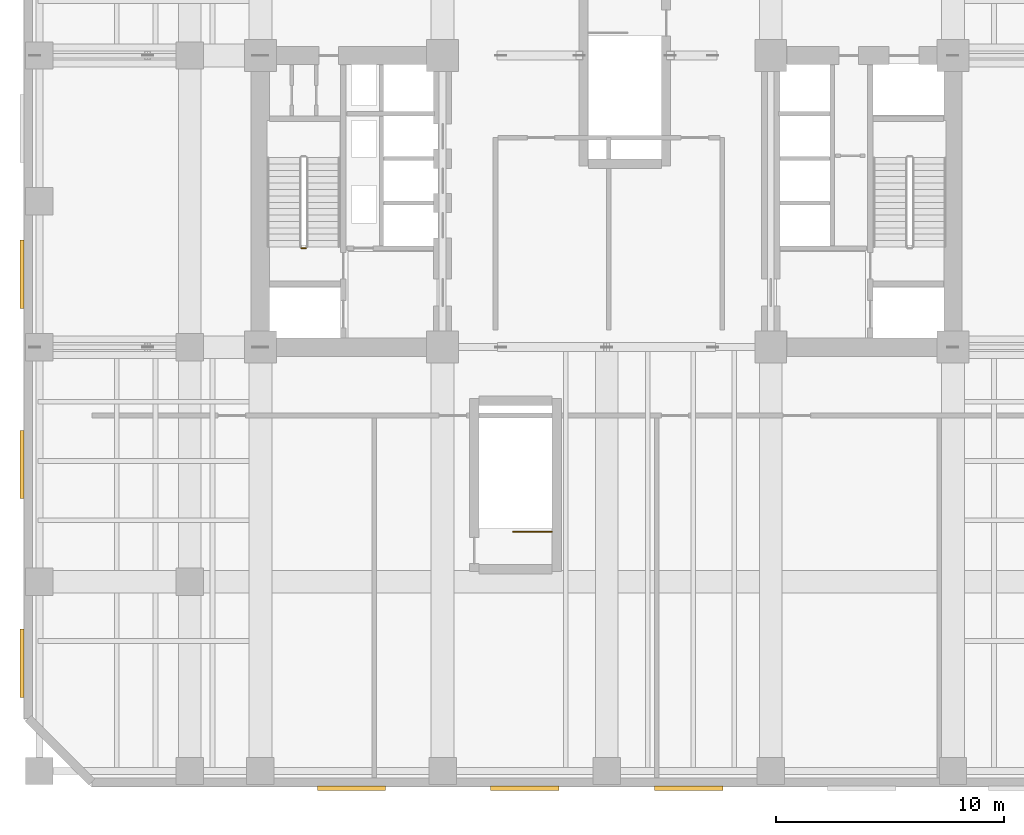
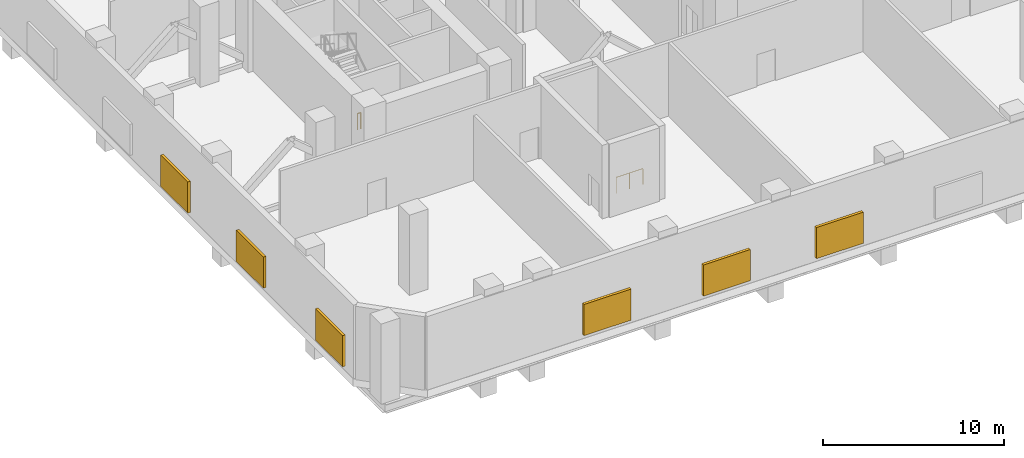
# One storey, part 10 of 13: 6 shading devices, 2 railings.
"""IFC4 building model written with IfcOpenShell, lengths in metres."""

import ifcopenshell
import ifcopenshell.guid

model = None  # the IFC model being written
_history = None  # IfcOwnerHistory: only IFC2X3 demands one
_inside = {}  # id of a spatial element -> (the spatial element, [elements in it])
_under = {}  # id of a project, library or spatial element -> (it, [spatial elements below it])
_declared = {}  # id of a project -> (the project, [libraries it declares])
_typed = {}  # id of a type object -> (the type object, [elements of that type])
_made_of = {}  # id of a material, layer set ... -> (it, [elements and type objects made of it])


def new_model(schema):
    """Start an empty IFC model of exactly this schema.

    Asked for "IFC4X3", IfcOpenShell would pick the latest addendum, in which some entities
    have other attributes; the version numbers below select the first issue.
    IFC2X3 requires an IfcOwnerHistory on every rooted entity: one is made here for all.
    """
    global model, _history
    if schema == "IFC4X3":
        model = ifcopenshell.file(schema_version=(4, 3, 0, 0))
    else:
        model = ifcopenshell.file(schema=schema)
    _inside.clear()
    _under.clear()
    _declared.clear()
    _typed.clear()
    _made_of.clear()
    _history = None
    if model.schema == "IFC2X3":
        org = make("IfcOrganization", Name="unknown")
        user = make(
            "IfcPersonAndOrganization",
            ThePerson=make("IfcPerson", FamilyName="unknown"),
            TheOrganization=org,
        )
        app = make(
            "IfcApplication",
            ApplicationDeveloper=org,
            Version="unknown",
            ApplicationFullName="unknown",
            ApplicationIdentifier="unknown",
        )
        _history = make(
            "IfcOwnerHistory",
            OwningUser=user,
            OwningApplication=app,
            ChangeAction="ADDED",
            CreationDate=0,
        )
    return model


def make(cls, **values):
    """One entity of the class cls with the attributes given. An attribute that is None is left unset."""
    return model.create_entity(
        cls, **{name: value for name, value in values.items() if value is not None}
    )


def rooted(cls, **values):
    """An entity with a GlobalId (a new one), such as an element, a storey or a relation."""
    return make(cls, GlobalId=ifcopenshell.guid.new(), OwnerHistory=_history, **values)


def si_unit(unit_type, name, prefix=None):
    """IfcSIUnit, for example si_unit("LENGTHUNIT", "METRE", prefix="MILLI")."""
    return make("IfcSIUnit", UnitType=unit_type, Prefix=prefix, Name=name)


def assignment(units):
    """IfcUnitAssignment: the units of a project."""
    return None if units is None else make("IfcUnitAssignment", Units=units)


def point(xyz):
    """IfcCartesianPoint."""
    return None if xyz is None else make("IfcCartesianPoint", Coordinates=xyz)


def direction(xyz):
    """IfcDirection."""
    return None if xyz is None else make("IfcDirection", DirectionRatios=xyz)


def frame(location, z_axis=None, x_axis=None):
    """IfcAxis2Placement3D, a coordinate frame: its origin and axes. An axis left out is left unset."""
    return make(
        "IfcAxis2Placement3D",
        Location=point(location),
        Axis=direction(z_axis),
        RefDirection=direction(x_axis),
    )


def frame_2d(location, x_axis=None):
    """IfcAxis2Placement2D, a coordinate frame in the plane: its origin and x axis."""
    return make(
        "IfcAxis2Placement2D", Location=point(location), RefDirection=direction(x_axis)
    )


def origin():
    """The frame at (0, 0, 0) with its axes left unset."""
    return frame((0.0, 0.0, 0.0))


def origin_2d():
    """The frame at (0, 0) in the plane with its x axis left unset."""
    return frame_2d((0.0, 0.0))


def place(relative_to, where):
    """IfcLocalPlacement: puts the frame where relative to a parent placement (None: the world)."""
    return make(
        "IfcLocalPlacement", PlacementRelTo=relative_to, RelativePlacement=where
    )


def context(
    kind, dimensions, precision=None, world=None, true_north=None, identifier=None
):
    """IfcGeometricRepresentationContext, for example the 3D "Model" context."""
    return make(
        "IfcGeometricRepresentationContext",
        ContextIdentifier=identifier,
        ContextType=kind,
        CoordinateSpaceDimension=dimensions,
        Precision=precision,
        WorldCoordinateSystem=world,
        TrueNorth=true_north,
    )


def subcontext(parent, identifier, kind, view, scale=None):
    """IfcGeometricRepresentationSubContext, for example "Body" below "Model"."""
    return make(
        "IfcGeometricRepresentationSubContext",
        ContextIdentifier=identifier,
        ContextType=kind,
        ParentContext=parent,
        TargetScale=scale,
        TargetView=view,
    )


def project(units=None, contexts=None):
    """IfcProject with its units and contexts."""
    return rooted(
        "IfcProject",
        Name="project",
        RepresentationContexts=contexts,
        UnitsInContext=assignment(units),
    )


def spatial(cls, under=None, at=None, **own):
    """A site, building, storey or space (cls), placed at a placement, below another one or the project."""
    s = rooted(cls, ObjectPlacement=at, **own)
    if under is not None:
        _under.setdefault(under.id(), (under, []))[1].append(s)
    return s


def profile(cls, at=None, kind="AREA", **sizes):
    """A parametric profile (cls). Its sizes go by their IFC names, for example OverallWidth=200.0."""
    return make(cls, ProfileType=kind, Position=at, **sizes)


def rectangle(**sizes):
    """IfcRectangleProfileDef."""
    return profile("IfcRectangleProfileDef", **sizes)


def circle(**sizes):
    """IfcCircleProfileDef."""
    return profile("IfcCircleProfileDef", **sizes)


def extrude(swept, where, along, depth):
    """IfcExtrudedAreaSolid: the profile swept, set in the frame where, extruded along a direction by depth."""
    return make(
        "IfcExtrudedAreaSolid",
        SweptArea=swept,
        Position=where,
        ExtrudedDirection=direction(along),
        Depth=depth,
    )


def shape(context_of_items, identifier, shape_type, items):
    """IfcShapeRepresentation: the items that make up one representation, for example the "Body"."""
    return make(
        "IfcShapeRepresentation",
        ContextOfItems=context_of_items,
        RepresentationIdentifier=identifier,
        RepresentationType=shape_type,
        Items=items,
    )


def material(Name=None, Category=None):
    """IfcMaterial."""
    return make("IfcMaterial", Name=Name, Category=Category)


def made_of(thing, what):
    """Note that an element or type object is made of a material, layer set ...; save() writes the relation."""
    if what is not None:
        _made_of.setdefault(what.id(), (what, []))[1].append(thing)
    return thing


def type_object(cls, material=None, **own):
    """A type object (cls), such as IfcWallType, which elements share."""
    return made_of(rooted(cls, **own), material)


def element(
    cls,
    number,
    at=None,
    inside=None,
    cuts=None,
    type_object=None,
    material=None,
    context=None,
    identifier="Body",
    shape_type=None,
    held_by="IfcProductDefinitionShape",
    body=None,
    shapes=None,
    **own,
):
    """One element of the class cls, such as IfcWall. Its Tag is "e" and its number.

    at: its placement. inside: the storey or other place that contains it. cuts: it is an
    opening in that element (IfcRelVoidsElement). A single representation is given by context,
    identifier, shape_type and body (its items); several are given by shapes. held_by: the class
    of the entity that holds the representations. save() writes the other relations.
    """
    e = rooted(cls, Tag="e%d" % number, ObjectPlacement=at, **own)
    if body is not None:
        shapes = [shape(context, identifier, shape_type, body)]
    if shapes is not None:
        e.Representation = make(held_by, Representations=shapes)
    if inside is not None:
        _inside.setdefault(inside.id(), (inside, []))[1].append(e)
    if cuts is not None:
        rooted(
            "IfcRelVoidsElement", RelatingBuildingElement=cuts, RelatedOpeningElement=e
        )
    if type_object is not None:
        _typed.setdefault(type_object.id(), (type_object, []))[1].append(e)
    return made_of(e, material)


def aggregate(whole, parts):
    """IfcRelAggregates: a whole, such as a stair, and the parts it consists of."""
    return rooted("IfcRelAggregates", RelatingObject=whole, RelatedObjects=parts)


def save(model, path):
    """Write the relations noted so far, then the file.

    IfcRelAggregates (storeys below a building ...), IfcRelContainedInSpatialStructure (elements
    in a storey), IfcRelDefinesByType, IfcRelAssociatesMaterial and IfcRelDeclares: one each for
    every whole, place, type object, material and project.
    """
    for whole, parts in _under.values():
        aggregate(whole, parts)
    for where, things in _inside.values():
        rooted(
            "IfcRelContainedInSpatialStructure",
            RelatedElements=things,
            RelatingStructure=where,
        )
    for kind, things in _typed.values():
        rooted("IfcRelDefinesByType", RelatedObjects=things, RelatingType=kind)
    for what, things in _made_of.values():
        rooted("IfcRelAssociatesMaterial", RelatedObjects=things, RelatingMaterial=what)
    for by, libraries in _declared.values():
        rooted("IfcRelDeclares", RelatingContext=by, RelatedDefinitions=libraries)
    model.write(path)


model = new_model("IFC4")

# Units and contexts
model_context = context("Model", 3, precision=1e-05, world=origin(), true_north=direction((0.0, 1.0)))
body_context = subcontext(model_context, "Body", "Model", "MODEL_VIEW")
ifc_project = project(units=[si_unit("LENGTHUNIT", "METRE"), si_unit("AREAUNIT", "SQUARE_METRE"), si_unit("VOLUMEUNIT", "CUBIC_METRE"), si_unit("PLANEANGLEUNIT", "RADIAN"), si_unit("MASSUNIT", "GRAM", prefix="KILO")], contexts=[model_context])

# Site, building, storey
site_placement = place(None, origin())
site = spatial("IfcSite", under=ifc_project, at=site_placement, CompositionType="ELEMENT")
building_placement = place(site_placement, origin())
building = spatial("IfcBuilding", under=site, at=building_placement, Name="Kranthara Brick Stack", CompositionType="ELEMENT")
storey_placement = place(building_placement, frame((0.0, 0.0, 18.89990234375)))
storey = spatial("IfcBuildingStorey", under=building, at=storey_placement, Name="L04", CompositionType="ELEMENT", Elevation=18.89990234375)

# Railings
ifc_material_1 = material(Name="Painted galvanized steel stair guardrail", Category="steel")
railing_type = type_object("IfcRailingType", Name="RL-STAIR-GUARD-1100", PredefinedType="GUARDRAIL", material=ifc_material_1)
railing_1_placement = place(storey_placement, frame((14.800048828125, 25.14990234375, 0.0)))
element("IfcRailing", 1, at=railing_1_placement, inside=storey, type_object=railing_type, Name="L04 ST01 stair guard 4", PredefinedType="GUARDRAIL", context=body_context, shape_type="SweptSolid", body=[
    extrude(circle(Radius=0.02392578125, at=origin_2d()), frame((0.0, 0.0, 1.076171875), z_axis=(-1.0, 0.0, 0.0), x_axis=(0.0, -1.0, 0.0)), (0.0, 0.0, 1.0), 0.199951171875),
    extrude(circle(Radius=0.02099609375, at=origin_2d()), origin(), (0.0, 0.0, 1.0), 1.052001953125),
    extrude(circle(Radius=0.02099609375, at=origin_2d()), frame((-0.199951171875, 0.0, 0.0)), (0.0, 0.0, 1.0), 1.052001953125),
])
railing_2_placement = place(storey_placement, frame((25.60009765625, 12.699951171875, 0.0)))
element("IfcRailing", 2, at=railing_2_placement, inside=storey, type_object=railing_type, Name="L04 ST03 top well guard 1", PredefinedType="GUARDRAIL", context=body_context, shape_type="SweptSolid", body=[
    extrude(circle(Radius=0.02392578125, at=origin_2d()), frame((0.0, 0.0, 1.076171875), z_axis=(-1.0, 0.0, 0.0), x_axis=(0.0, -1.0, 0.0)), (0.0, 0.0, 1.0), 1.7001953125),
    extrude(circle(Radius=0.02099609375, at=origin_2d()), origin(), (0.0, 0.0, 1.0), 1.052001953125),
    extrude(circle(Radius=0.02099609375, at=origin_2d()), frame((-0.85009765625, 0.0, 0.0)), (0.0, 0.0, 1.0), 1.052001953125),
    extrude(circle(Radius=0.02099609375, at=origin_2d()), frame((-1.7001953125, 0.0, 0.0)), (0.0, 0.0, 1.0), 1.052001953125),
])

# Shading devices
ifc_material_2 = material(Name="Bronze anodised aluminium acoustic louvre", Category="aluminium")
shading_device_type = type_object("IfcShadingDeviceType", Name="SHD-LOUVRE-PLANT", PredefinedType="JALOUSIE", material=ifc_material_2)
for number, where, z_axis, x_axis, name in (
    (3, (31.60009765625, 1.43994140625, 0.300048828125), (0.0, 0.0, 1.0), (-1.0, 0.0, 0.0), "L04 SOUTH Mechanical Louvre Bank 4"),
    (4, (24.39990234375, 1.43994140625, 0.300048828125), (0.0, 0.0, 1.0), (-1.0, 0.0, 0.0), "L04 SOUTH Mechanical Louvre Bank 5"),
    (5, (16.800048828125, 1.43994140625, 0.300048828125), (0.0, 0.0, 1.0), (-1.0, 0.0, 0.0), "L04 SOUTH Mechanical Louvre Bank 6"),
    (6, (2.340087890625, 6.925048828125, 0.300048828125), (0.0, 0.0, 1.0), (0.0, 1.0, 0.0), "L04 WEST Mechanical Louvre Bank 1"),
    (7, (2.340087890625, 15.64990234375, 0.300048828125), (0.0, 0.0, 1.0), (0.0, 1.0, 0.0), "L04 WEST Mechanical Louvre Bank 2"),
    (8, (2.340087890625, 24.0, 0.300048828125), (0.0, 0.0, 1.0), (0.0, 1.0, 0.0), "L04 WEST Mechanical Louvre Bank 3"),
):
    element("IfcShadingDevice", number, at=place(storey_placement, frame(where, z_axis=z_axis, x_axis=x_axis)), inside=storey, type_object=shading_device_type, Name=name, PredefinedType="JALOUSIE", context=body_context, shape_type="SweptSolid", body=[
        extrude(rectangle(XDim=3.0, YDim=0.179931640625, at=origin_2d()), origin(), (0.0, 0.0, 1.0), 2.10009765625),
    ])

save(model, "model.ifc")
